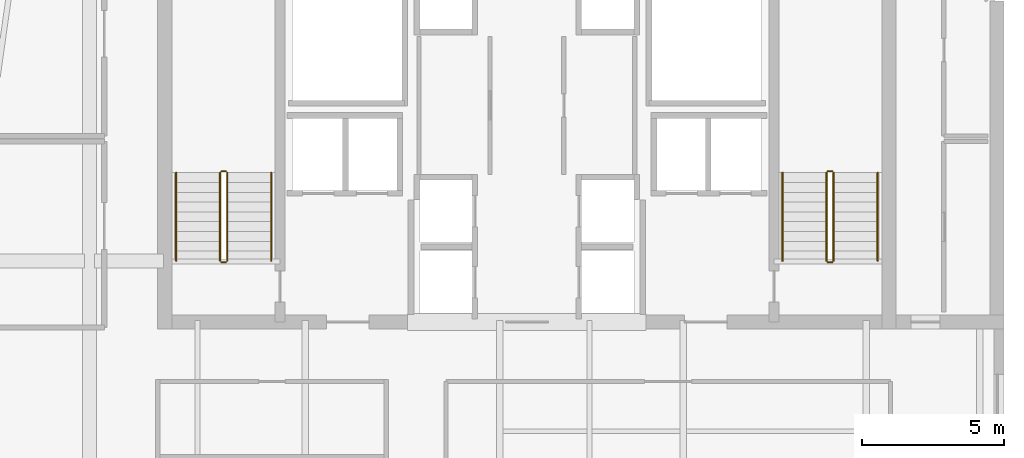
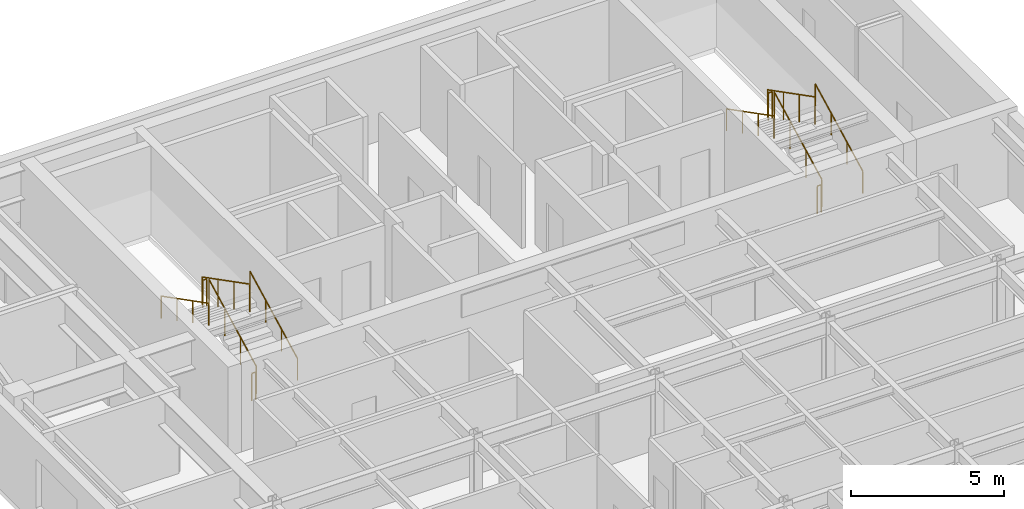
# One storey, part 9 of 9: 12 railings.
"""IFC4 building model written with IfcOpenShell, lengths in metres."""

import ifcopenshell
import ifcopenshell.guid

model = None  # the IFC model being written
_history = None  # IfcOwnerHistory: only IFC2X3 demands one
_inside = {}  # id of a spatial element -> (the spatial element, [elements in it])
_under = {}  # id of a project, library or spatial element -> (it, [spatial elements below it])
_declared = {}  # id of a project -> (the project, [libraries it declares])
_typed = {}  # id of a type object -> (the type object, [elements of that type])
_made_of = {}  # id of a material, layer set ... -> (it, [elements and type objects made of it])


def new_model(schema):
    """Start an empty IFC model of exactly this schema.

    Asked for "IFC4X3", IfcOpenShell would pick the latest addendum, in which some entities
    have other attributes; the version numbers below select the first issue.
    IFC2X3 requires an IfcOwnerHistory on every rooted entity: one is made here for all.
    """
    global model, _history
    if schema == "IFC4X3":
        model = ifcopenshell.file(schema_version=(4, 3, 0, 0))
    else:
        model = ifcopenshell.file(schema=schema)
    _inside.clear()
    _under.clear()
    _declared.clear()
    _typed.clear()
    _made_of.clear()
    _history = None
    if model.schema == "IFC2X3":
        org = make("IfcOrganization", Name="unknown")
        user = make(
            "IfcPersonAndOrganization",
            ThePerson=make("IfcPerson", FamilyName="unknown"),
            TheOrganization=org,
        )
        app = make(
            "IfcApplication",
            ApplicationDeveloper=org,
            Version="unknown",
            ApplicationFullName="unknown",
            ApplicationIdentifier="unknown",
        )
        _history = make(
            "IfcOwnerHistory",
            OwningUser=user,
            OwningApplication=app,
            ChangeAction="ADDED",
            CreationDate=0,
        )
    return model


def make(cls, **values):
    """One entity of the class cls with the attributes given. An attribute that is None is left unset."""
    return model.create_entity(
        cls, **{name: value for name, value in values.items() if value is not None}
    )


def rooted(cls, **values):
    """An entity with a GlobalId (a new one), such as an element, a storey or a relation."""
    return make(cls, GlobalId=ifcopenshell.guid.new(), OwnerHistory=_history, **values)


def si_unit(unit_type, name, prefix=None):
    """IfcSIUnit, for example si_unit("LENGTHUNIT", "METRE", prefix="MILLI")."""
    return make("IfcSIUnit", UnitType=unit_type, Prefix=prefix, Name=name)


def assignment(units):
    """IfcUnitAssignment: the units of a project."""
    return None if units is None else make("IfcUnitAssignment", Units=units)


def point(xyz):
    """IfcCartesianPoint."""
    return None if xyz is None else make("IfcCartesianPoint", Coordinates=xyz)


def direction(xyz):
    """IfcDirection."""
    return None if xyz is None else make("IfcDirection", DirectionRatios=xyz)


def frame(location, z_axis=None, x_axis=None):
    """IfcAxis2Placement3D, a coordinate frame: its origin and axes. An axis left out is left unset."""
    return make(
        "IfcAxis2Placement3D",
        Location=point(location),
        Axis=direction(z_axis),
        RefDirection=direction(x_axis),
    )


def frame_2d(location, x_axis=None):
    """IfcAxis2Placement2D, a coordinate frame in the plane: its origin and x axis."""
    return make(
        "IfcAxis2Placement2D", Location=point(location), RefDirection=direction(x_axis)
    )


def origin():
    """The frame at (0, 0, 0) with its axes left unset."""
    return frame((0.0, 0.0, 0.0))


def origin_2d():
    """The frame at (0, 0) in the plane with its x axis left unset."""
    return frame_2d((0.0, 0.0))


def place(relative_to, where):
    """IfcLocalPlacement: puts the frame where relative to a parent placement (None: the world)."""
    return make(
        "IfcLocalPlacement", PlacementRelTo=relative_to, RelativePlacement=where
    )


def context(
    kind, dimensions, precision=None, world=None, true_north=None, identifier=None
):
    """IfcGeometricRepresentationContext, for example the 3D "Model" context."""
    return make(
        "IfcGeometricRepresentationContext",
        ContextIdentifier=identifier,
        ContextType=kind,
        CoordinateSpaceDimension=dimensions,
        Precision=precision,
        WorldCoordinateSystem=world,
        TrueNorth=true_north,
    )


def subcontext(parent, identifier, kind, view, scale=None):
    """IfcGeometricRepresentationSubContext, for example "Body" below "Model"."""
    return make(
        "IfcGeometricRepresentationSubContext",
        ContextIdentifier=identifier,
        ContextType=kind,
        ParentContext=parent,
        TargetScale=scale,
        TargetView=view,
    )


def project(units=None, contexts=None):
    """IfcProject with its units and contexts."""
    return rooted(
        "IfcProject",
        Name="project",
        RepresentationContexts=contexts,
        UnitsInContext=assignment(units),
    )


def spatial(cls, under=None, at=None, **own):
    """A site, building, storey or space (cls), placed at a placement, below another one or the project."""
    s = rooted(cls, ObjectPlacement=at, **own)
    if under is not None:
        _under.setdefault(under.id(), (under, []))[1].append(s)
    return s


def profile(cls, at=None, kind="AREA", **sizes):
    """A parametric profile (cls). Its sizes go by their IFC names, for example OverallWidth=200.0."""
    return make(cls, ProfileType=kind, Position=at, **sizes)


def circle(**sizes):
    """IfcCircleProfileDef."""
    return profile("IfcCircleProfileDef", **sizes)


def extrude(swept, where, along, depth):
    """IfcExtrudedAreaSolid: the profile swept, set in the frame where, extruded along a direction by depth."""
    return make(
        "IfcExtrudedAreaSolid",
        SweptArea=swept,
        Position=where,
        ExtrudedDirection=direction(along),
        Depth=depth,
    )


def shape(context_of_items, identifier, shape_type, items):
    """IfcShapeRepresentation: the items that make up one representation, for example the "Body"."""
    return make(
        "IfcShapeRepresentation",
        ContextOfItems=context_of_items,
        RepresentationIdentifier=identifier,
        RepresentationType=shape_type,
        Items=items,
    )


def material(Name=None, Category=None):
    """IfcMaterial."""
    return make("IfcMaterial", Name=Name, Category=Category)


def made_of(thing, what):
    """Note that an element or type object is made of a material, layer set ...; save() writes the relation."""
    if what is not None:
        _made_of.setdefault(what.id(), (what, []))[1].append(thing)
    return thing


def type_object(cls, material=None, **own):
    """A type object (cls), such as IfcWallType, which elements share."""
    return made_of(rooted(cls, **own), material)


def element(
    cls,
    number,
    at=None,
    inside=None,
    cuts=None,
    type_object=None,
    material=None,
    context=None,
    identifier="Body",
    shape_type=None,
    held_by="IfcProductDefinitionShape",
    body=None,
    shapes=None,
    **own,
):
    """One element of the class cls, such as IfcWall. Its Tag is "e" and its number.

    at: its placement. inside: the storey or other place that contains it. cuts: it is an
    opening in that element (IfcRelVoidsElement). A single representation is given by context,
    identifier, shape_type and body (its items); several are given by shapes. held_by: the class
    of the entity that holds the representations. save() writes the other relations.
    """
    e = rooted(cls, Tag="e%d" % number, ObjectPlacement=at, **own)
    if body is not None:
        shapes = [shape(context, identifier, shape_type, body)]
    if shapes is not None:
        e.Representation = make(held_by, Representations=shapes)
    if inside is not None:
        _inside.setdefault(inside.id(), (inside, []))[1].append(e)
    if cuts is not None:
        rooted(
            "IfcRelVoidsElement", RelatingBuildingElement=cuts, RelatedOpeningElement=e
        )
    if type_object is not None:
        _typed.setdefault(type_object.id(), (type_object, []))[1].append(e)
    return made_of(e, material)


def aggregate(whole, parts):
    """IfcRelAggregates: a whole, such as a stair, and the parts it consists of."""
    return rooted("IfcRelAggregates", RelatingObject=whole, RelatedObjects=parts)


def save(model, path):
    """Write the relations noted so far, then the file.

    IfcRelAggregates (storeys below a building ...), IfcRelContainedInSpatialStructure (elements
    in a storey), IfcRelDefinesByType, IfcRelAssociatesMaterial and IfcRelDeclares: one each for
    every whole, place, type object, material and project.
    """
    for whole, parts in _under.values():
        aggregate(whole, parts)
    for where, things in _inside.values():
        rooted(
            "IfcRelContainedInSpatialStructure",
            RelatedElements=things,
            RelatingStructure=where,
        )
    for kind, things in _typed.values():
        rooted("IfcRelDefinesByType", RelatedObjects=things, RelatingType=kind)
    for what, things in _made_of.values():
        rooted("IfcRelAssociatesMaterial", RelatedObjects=things, RelatingMaterial=what)
    for by, libraries in _declared.values():
        rooted("IfcRelDeclares", RelatingContext=by, RelatedDefinitions=libraries)
    model.write(path)


model = new_model("IFC4")

# Units and contexts
model_context = context("Model", 3, precision=1e-05, world=origin(), true_north=direction((0.0, 1.0)))
body_context = subcontext(model_context, "Body", "Model", "MODEL_VIEW")
ifc_project = project(units=[si_unit("LENGTHUNIT", "METRE"), si_unit("AREAUNIT", "SQUARE_METRE"), si_unit("VOLUMEUNIT", "CUBIC_METRE"), si_unit("PLANEANGLEUNIT", "RADIAN"), si_unit("MASSUNIT", "GRAM", prefix="KILO")], contexts=[model_context])

# Site, building, storey
site_placement = place(None, origin())
site = spatial("IfcSite", under=ifc_project, at=site_placement, CompositionType="ELEMENT")
building_placement = place(site_placement, origin())
building = spatial("IfcBuilding", under=site, at=building_placement, Name="Tolvann Quenvar Hotel", CompositionType="ELEMENT")
storey_placement = place(building_placement, frame((0.0, 0.0, 216.800048828125)))
storey = spatial("IfcBuildingStorey", under=building, at=storey_placement, Name="L57", CompositionType="ELEMENT", Elevation=216.800048828125)

# Railings
ifc_material = material(Name="Brushed 316 stainless steel balustrade and handrail", Category="steel")
railing_type_1 = type_object("IfcRailingType", Name="GUARDRAIL", PredefinedType="GUARDRAIL", material=ifc_material)
railing_1_placement = place(storey_placement, frame((12.449951171875, 34.0, 0.177490234375)))
element("IfcRailing", 1, at=railing_1_placement, inside=storey, type_object=railing_type_1, Name="L57 ST-C1 stair guard 1", PredefinedType="GUARDRAIL", context=body_context, shape_type="SweptSolid", body=[
    extrude(circle(Radius=0.02392578125, at=origin_2d()), frame((0.0, 0.0, 1.09619140625), z_axis=(0.0, 0.889221982265, 0.45747597342), x_axis=(-1.0, 0.0, 0.0)), (0.0, 0.0, 1.0), 3.49169921875),
    extrude(circle(Radius=0.02099609375, at=origin_2d()), origin(), (0.0, 0.0, 1.0), 1.072021484375),
    extrude(circle(Radius=0.02099609375, at=origin_2d()), frame((0.0, 1.034912109375, 0.532470703125)), (0.0, 0.0, 1.0), 1.072021484375),
    extrude(circle(Radius=0.02099609375, at=origin_2d()), frame((0.0, 2.070068359375, 1.06494140625)), (0.0, 0.0, 1.0), 1.072021484375),
    extrude(circle(Radius=0.02099609375, at=origin_2d()), frame((0.0, 3.10498046875, 1.597412109375)), (0.0, 0.0, 1.0), 1.072021484375),
])
railing_2_placement = place(storey_placement, frame((12.39990234375, 37.155029296875, 1.77490234375)))
element("IfcRailing", 2, at=railing_2_placement, inside=storey, type_object=railing_type_1, Name="L57 ST-C1 stair guard 2", PredefinedType="GUARDRAIL", context=body_context, shape_type="SweptSolid", body=[
    extrude(circle(Radius=0.02392578125, at=origin_2d()), frame((0.0, 0.0, 1.09619140625), z_axis=(-1.0, 0.0, 0.0), x_axis=(0.0, -1.0, 0.0)), (0.0, 0.0, 1.0), 0.14990234375),
    extrude(circle(Radius=0.02099609375, at=origin_2d()), origin(), (0.0, 0.0, 1.0), 1.072021484375),
    extrude(circle(Radius=0.02099609375, at=origin_2d()), frame((-0.14990234375, 0.0, 0.0)), (0.0, 0.0, 1.0), 1.072021484375),
])
railing_3_placement = place(storey_placement, frame((12.199951171875, 37.10498046875, 1.952392578125)))
element("IfcRailing", 3, at=railing_3_placement, inside=storey, type_object=railing_type_1, Name="L57 ST-C1 stair guard 3", PredefinedType="GUARDRAIL", context=body_context, shape_type="SweptSolid", body=[
    extrude(circle(Radius=0.02392578125, at=origin_2d()), frame((0.0, 0.0, 1.09619140625), z_axis=(0.0, -0.88919353882, 0.457531256332), x_axis=(1.0, 0.0, 0.0)), (0.0, 0.0, 1.0), 3.491943359375),
    extrude(circle(Radius=0.02099609375, at=origin_2d()), origin(), (0.0, 0.0, 1.0), 1.072021484375),
    extrude(circle(Radius=0.02099609375, at=origin_2d()), frame((0.0, -1.034912109375, 0.532470703125)), (0.0, 0.0, 1.0), 1.072021484375),
    extrude(circle(Radius=0.02099609375, at=origin_2d()), frame((0.0, -2.070068359375, 1.065185546875)), (0.0, 0.0, 1.0), 1.072021484375),
    extrude(circle(Radius=0.02099609375, at=origin_2d()), frame((0.0, -3.10498046875, 1.59765625)), (0.0, 0.0, 1.0), 1.072021484375),
])
railing_4_placement = place(storey_placement, frame((12.39990234375, 33.949951171875, 0.0)))
element("IfcRailing", 4, at=railing_4_placement, inside=storey, type_object=railing_type_1, Name="L57 ST-C1 stair guard 4", PredefinedType="GUARDRAIL", context=body_context, shape_type="SweptSolid", body=[
    extrude(circle(Radius=0.02392578125, at=origin_2d()), frame((0.0, 0.0, 1.09619140625), z_axis=(-1.0, 0.0, 0.0), x_axis=(0.0, -1.0, 0.0)), (0.0, 0.0, 1.0), 0.14990234375),
    extrude(circle(Radius=0.02099609375, at=origin_2d()), origin(), (0.0, 0.0, 1.0), 1.072021484375),
    extrude(circle(Radius=0.02099609375, at=origin_2d()), frame((-0.14990234375, 0.0, 0.0)), (0.0, 0.0, 1.0), 1.072021484375),
])
railing_5_placement = place(storey_placement, frame((33.800048828125, 34.0, 0.177490234375)))
element("IfcRailing", 5, at=railing_5_placement, inside=storey, type_object=railing_type_1, Name="L57 ST-C2 stair guard 1", PredefinedType="GUARDRAIL", context=body_context, shape_type="SweptSolid", body=[
    extrude(circle(Radius=0.02392578125, at=origin_2d()), frame((0.0, 0.0, 1.09619140625), z_axis=(0.0, 0.889221982265, 0.45747597342), x_axis=(-1.0, 0.0, 0.0)), (0.0, 0.0, 1.0), 3.49169921875),
    extrude(circle(Radius=0.02099609375, at=origin_2d()), origin(), (0.0, 0.0, 1.0), 1.072021484375),
    extrude(circle(Radius=0.02099609375, at=origin_2d()), frame((0.0, 1.034912109375, 0.532470703125)), (0.0, 0.0, 1.0), 1.072021484375),
    extrude(circle(Radius=0.02099609375, at=origin_2d()), frame((0.0, 2.070068359375, 1.06494140625)), (0.0, 0.0, 1.0), 1.072021484375),
    extrude(circle(Radius=0.02099609375, at=origin_2d()), frame((0.0, 3.10498046875, 1.597412109375)), (0.0, 0.0, 1.0), 1.072021484375),
])
railing_6_placement = place(storey_placement, frame((33.75, 37.155029296875, 1.77490234375)))
element("IfcRailing", 6, at=railing_6_placement, inside=storey, type_object=railing_type_1, Name="L57 ST-C2 stair guard 2", PredefinedType="GUARDRAIL", context=body_context, shape_type="SweptSolid", body=[
    extrude(circle(Radius=0.02392578125, at=origin_2d()), frame((0.0, 0.0, 1.09619140625), z_axis=(-1.0, 0.0, 0.0), x_axis=(0.0, -1.0, 0.0)), (0.0, 0.0, 1.0), 0.14990234375),
    extrude(circle(Radius=0.02099609375, at=origin_2d()), origin(), (0.0, 0.0, 1.0), 1.072021484375),
    extrude(circle(Radius=0.02099609375, at=origin_2d()), frame((-0.14990234375, 0.0, 0.0)), (0.0, 0.0, 1.0), 1.072021484375),
])
railing_7_placement = place(storey_placement, frame((33.550048828125, 37.10498046875, 1.952392578125)))
element("IfcRailing", 7, at=railing_7_placement, inside=storey, type_object=railing_type_1, Name="L57 ST-C2 stair guard 3", PredefinedType="GUARDRAIL", context=body_context, shape_type="SweptSolid", body=[
    extrude(circle(Radius=0.02392578125, at=origin_2d()), frame((0.0, 0.0, 1.09619140625), z_axis=(0.0, -0.88919353882, 0.457531256332), x_axis=(1.0, 0.0, 0.0)), (0.0, 0.0, 1.0), 3.491943359375),
    extrude(circle(Radius=0.02099609375, at=origin_2d()), origin(), (0.0, 0.0, 1.0), 1.072021484375),
    extrude(circle(Radius=0.02099609375, at=origin_2d()), frame((0.0, -1.034912109375, 0.532470703125)), (0.0, 0.0, 1.0), 1.072021484375),
    extrude(circle(Radius=0.02099609375, at=origin_2d()), frame((0.0, -2.070068359375, 1.065185546875)), (0.0, 0.0, 1.0), 1.072021484375),
    extrude(circle(Radius=0.02099609375, at=origin_2d()), frame((0.0, -3.10498046875, 1.59765625)), (0.0, 0.0, 1.0), 1.072021484375),
])
railing_8_placement = place(storey_placement, frame((33.75, 33.949951171875, 0.0)))
element("IfcRailing", 8, at=railing_8_placement, inside=storey, type_object=railing_type_1, Name="L57 ST-C2 stair guard 4", PredefinedType="GUARDRAIL", context=body_context, shape_type="SweptSolid", body=[
    extrude(circle(Radius=0.02392578125, at=origin_2d()), frame((0.0, 0.0, 1.09619140625), z_axis=(-1.0, 0.0, 0.0), x_axis=(0.0, -1.0, 0.0)), (0.0, 0.0, 1.0), 0.14990234375),
    extrude(circle(Radius=0.02099609375, at=origin_2d()), origin(), (0.0, 0.0, 1.0), 1.072021484375),
    extrude(circle(Radius=0.02099609375, at=origin_2d()), frame((-0.14990234375, 0.0, 0.0)), (0.0, 0.0, 1.0), 1.072021484375),
])
railing_type_2 = type_object("IfcRailingType", Name="HANDRAIL", PredefinedType="HANDRAIL", material=ifc_material)
railing_9_placement = place(storey_placement, frame((14.0, 34.0, 0.177490234375)))
element("IfcRailing", 9, at=railing_9_placement, inside=storey, type_object=railing_type_2, Name="L57 ST-C1 stair handrail 1", PredefinedType="HANDRAIL", context=body_context, shape_type="SweptSolid", body=[
    extrude(circle(Radius=0.02392578125, at=origin_2d()), frame((0.0, 0.0, 0.8759765625), z_axis=(0.0, 0.889221982265, 0.45747597342), x_axis=(-1.0, 0.0, 0.0)), (0.0, 0.0, 1.0), 3.49169921875),
    extrude(circle(Radius=0.02099609375, at=origin_2d()), origin(), (0.0, 0.0, 1.0), 0.851806640625),
    extrude(circle(Radius=0.02099609375, at=origin_2d()), frame((0.0, 1.034912109375, 0.532470703125)), (0.0, 0.0, 1.0), 0.851806640625),
    extrude(circle(Radius=0.02099609375, at=origin_2d()), frame((0.0, 2.070068359375, 1.06494140625)), (0.0, 0.0, 1.0), 0.851806640625),
    extrude(circle(Radius=0.02099609375, at=origin_2d()), frame((0.0, 3.10498046875, 1.597412109375)), (0.0, 0.0, 1.0), 0.851806640625),
])
railing_10_placement = place(storey_placement, frame((10.64990234375, 37.10498046875, 1.952392578125)))
element("IfcRailing", 10, at=railing_10_placement, inside=storey, type_object=railing_type_2, Name="L57 ST-C1 stair handrail 2", PredefinedType="HANDRAIL", context=body_context, shape_type="SweptSolid", body=[
    extrude(circle(Radius=0.02392578125, at=origin_2d()), frame((0.0, 0.0, 0.8759765625), z_axis=(0.0, -0.88919353882, 0.457531256332), x_axis=(1.0, 0.0, 0.0)), (0.0, 0.0, 1.0), 3.491943359375),
    extrude(circle(Radius=0.02099609375, at=origin_2d()), origin(), (0.0, 0.0, 1.0), 0.851806640625),
    extrude(circle(Radius=0.02099609375, at=origin_2d()), frame((0.0, -1.034912109375, 0.532470703125)), (0.0, 0.0, 1.0), 0.851806640625),
    extrude(circle(Radius=0.02099609375, at=origin_2d()), frame((0.0, -2.070068359375, 1.065185546875)), (0.0, 0.0, 1.0), 0.851806640625),
    extrude(circle(Radius=0.02099609375, at=origin_2d()), frame((0.0, -3.10498046875, 1.59765625)), (0.0, 0.0, 1.0), 0.851806640625),
])
railing_11_placement = place(storey_placement, frame((35.35009765625, 34.0, 0.177490234375)))
element("IfcRailing", 11, at=railing_11_placement, inside=storey, type_object=railing_type_2, Name="L57 ST-C2 stair handrail 1", PredefinedType="HANDRAIL", context=body_context, shape_type="SweptSolid", body=[
    extrude(circle(Radius=0.02392578125, at=origin_2d()), frame((0.0, 0.0, 0.8759765625), z_axis=(0.0, 0.889221982265, 0.45747597342), x_axis=(-1.0, 0.0, 0.0)), (0.0, 0.0, 1.0), 3.49169921875),
    extrude(circle(Radius=0.02099609375, at=origin_2d()), origin(), (0.0, 0.0, 1.0), 0.851806640625),
    extrude(circle(Radius=0.02099609375, at=origin_2d()), frame((0.0, 1.034912109375, 0.532470703125)), (0.0, 0.0, 1.0), 0.851806640625),
    extrude(circle(Radius=0.02099609375, at=origin_2d()), frame((0.0, 2.070068359375, 1.06494140625)), (0.0, 0.0, 1.0), 0.851806640625),
    extrude(circle(Radius=0.02099609375, at=origin_2d()), frame((0.0, 3.10498046875, 1.597412109375)), (0.0, 0.0, 1.0), 0.851806640625),
])
railing_12_placement = place(storey_placement, frame((32.0, 37.10498046875, 1.952392578125)))
element("IfcRailing", 12, at=railing_12_placement, inside=storey, type_object=railing_type_2, Name="L57 ST-C2 stair handrail 2", PredefinedType="HANDRAIL", context=body_context, shape_type="SweptSolid", body=[
    extrude(circle(Radius=0.02392578125, at=origin_2d()), frame((0.0, 0.0, 0.8759765625), z_axis=(0.0, -0.88919353882, 0.457531256332), x_axis=(1.0, 0.0, 0.0)), (0.0, 0.0, 1.0), 3.491943359375),
    extrude(circle(Radius=0.02099609375, at=origin_2d()), origin(), (0.0, 0.0, 1.0), 0.851806640625),
    extrude(circle(Radius=0.02099609375, at=origin_2d()), frame((0.0, -1.034912109375, 0.532470703125)), (0.0, 0.0, 1.0), 0.851806640625),
    extrude(circle(Radius=0.02099609375, at=origin_2d()), frame((0.0, -2.070068359375, 1.065185546875)), (0.0, 0.0, 1.0), 0.851806640625),
    extrude(circle(Radius=0.02099609375, at=origin_2d()), frame((0.0, -3.10498046875, 1.59765625)), (0.0, 0.0, 1.0), 0.851806640625),
])

save(model, "model.ifc")
